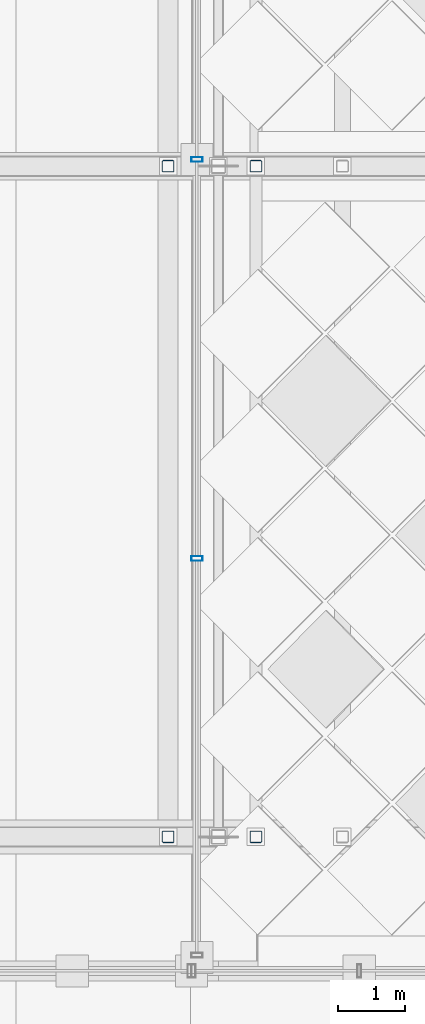
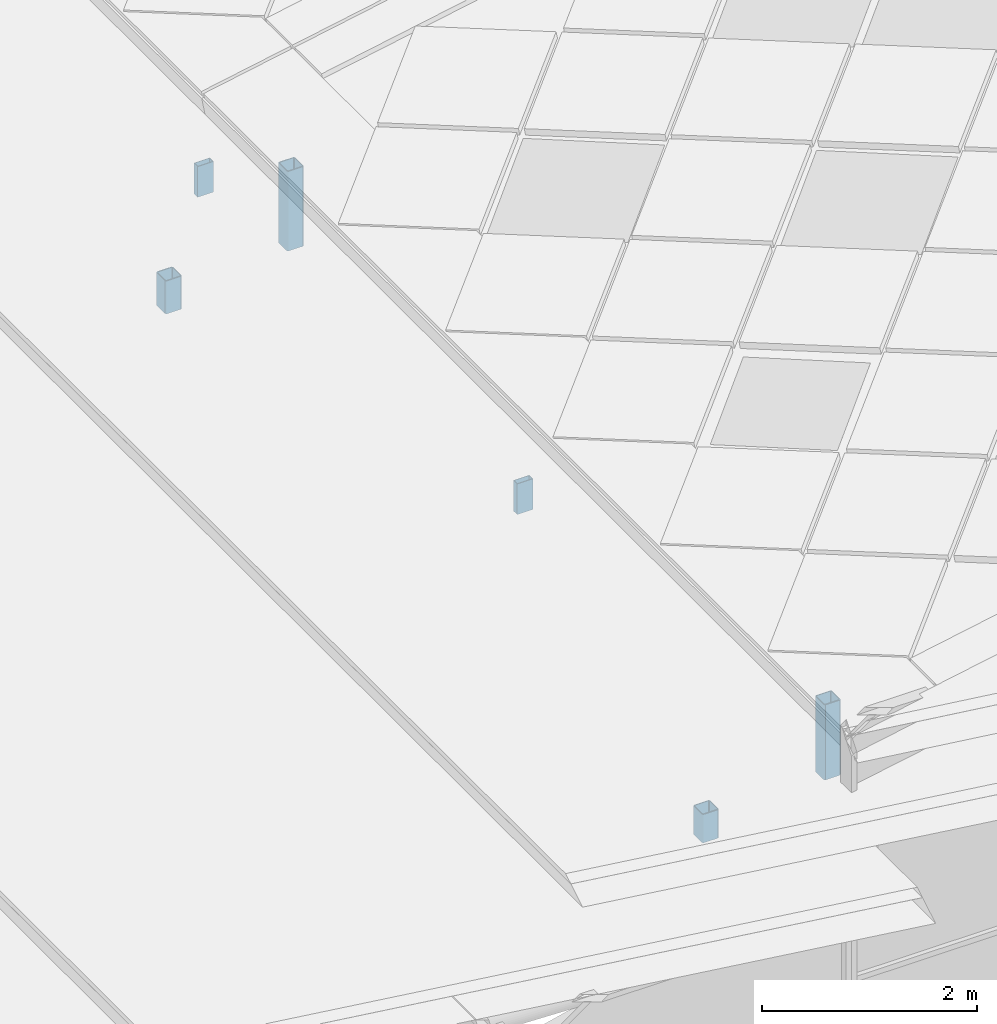
# One storey, part 52 of 117: 6 members, 1 element without a shape of its own.
"""IFC4 building model written with IfcOpenShell, lengths in metres."""

from ifc_helpers import new_model, si_unit, direction, frame, origin, origin_2d, place, context, subcontext, project, spatial, hollow_rectangle, extrude, material, material_profile, profile_set, type_object, element, aggregate, save


model = new_model("IFC4")

# Units and contexts
model_context = context("Model", 3, precision=1e-05, world=origin(), true_north=direction((0.0, 1.0)))
body_context = subcontext(model_context, "Body", "Model", "MODEL_VIEW")
ifc_project = project(units=[si_unit("LENGTHUNIT", "METRE"), si_unit("AREAUNIT", "SQUARE_METRE"), si_unit("VOLUMEUNIT", "CUBIC_METRE"), si_unit("PLANEANGLEUNIT", "RADIAN"), si_unit("MASSUNIT", "GRAM", prefix="KILO")], contexts=[model_context])

# Site, building, storey
site_placement = place(None, origin())
site = spatial("IfcSite", under=ifc_project, at=site_placement, CompositionType="ELEMENT")
building_placement = place(site_placement, origin())
building = spatial("IfcBuilding", under=site, at=building_placement, Name="Merenkruunu Market Hall", CompositionType="ELEMENT")
storey_placement = place(building_placement, frame((0.0, 0.0, 22.800048828125)))
storey = spatial("IfcBuildingStorey", under=building, at=storey_placement, Name="RF", CompositionType="ELEMENT", Elevation=22.800048828125)

# Curtain wall, members
ifc_material_1 = material(Name="Powder-coated aluminium", Category="aluminium")
curtain_wall_type = type_object("IfcCurtainWallType", Name="Clerestory Curtain Band CL05", PredefinedType="USERDEFINED", material=ifc_material_1)
curtain_wall_placement = place(storey_placement, origin())
curtain_wall = element("IfcCurtainWall", 1, at=curtain_wall_placement, inside=storey, type_object=curtain_wall_type, Name="CW-RF-CWM04-113", ObjectType="CLERESTORY_BAND", PredefinedType="USERDEFINED")
ifc_material_profile_1 = material_profile(ifc_material_1, hollow_rectangle(XDim=0.070068359375, YDim=0.169921875, WallThickness=0.0048828125, at=origin_2d()), Name="ALU 70x170x5")
ifc_profile_set_1 = profile_set([ifc_material_profile_1], Name="Powder-coated aluminium")
member_type_1 = type_object("IfcMemberType", Name="Curtain Wall Mullion CWM04", PredefinedType="MULLION", material=ifc_profile_set_1)
member_1_placement = place(storey_placement, frame((18.8798828125, 21.75, -1.241943359375), z_axis=(0.0, 0.0, 1.0), x_axis=(0.0, 1.0, 0.0)))
member_1 = element("IfcMember", 2, at=member_1_placement, type_object=member_type_1, Name="CL05 mullion 2", PredefinedType="MULLION", context=body_context, shape_type="SweptSolid", body=[
    extrude(hollow_rectangle(XDim=0.070068359375, YDim=0.169921875, WallThickness=0.0048828125, at=origin_2d()), origin(), (0.0, 0.0, 1.0), 0.347900390625),
])
member_2_placement = place(storey_placement, frame((18.8798828125, 27.699951171875, -1.241943359375), z_axis=(0.0, 0.0, 1.0), x_axis=(0.0, 1.0, 0.0)))
member_2 = element("IfcMember", 3, at=member_2_placement, type_object=member_type_1, Name="CL05 mullion 3", PredefinedType="MULLION", context=body_context, shape_type="SweptSolid", body=[
    extrude(hollow_rectangle(XDim=0.070068359375, YDim=0.169921875, WallThickness=0.0048828125, at=origin_2d()), origin(), (0.0, 0.0, 1.0), 0.347900390625),
])
aggregate(curtain_wall, [member_1, member_2])

# Members
ifc_material_2 = material(Name="Steel S355J2", Category="steel")
ifc_material_profile_2 = material_profile(ifc_material_2, hollow_rectangle(XDim=0.179931640625, YDim=0.179931640625, WallThickness=0.010009765625, InnerFilletRadius=0.010009765625, OuterFilletRadius=0.02001953125, at=origin_2d()), Name="SHS 180x180x10")
ifc_profile_set_2 = profile_set([ifc_material_profile_2], Name="Steel S355J2")
member_type_2 = type_object("IfcMemberType", Name="Diagonal Sway Brace BR05", PredefinedType="BRACE", material=ifc_profile_set_2)
member_3_placement = place(storey_placement, frame((18.449951171875, 17.60009765625, -2.276123046875), z_axis=(0.0, 0.0, 1.0), x_axis=(1.0, 0.0, 0.0)))
element("IfcMember", 4, at=member_3_placement, inside=storey, type_object=member_type_2, Name="TRUSS-AT-1-RISER-W5-2", PredefinedType="BRACE", context=body_context, shape_type="SweptSolid", body=[
    extrude(hollow_rectangle(XDim=0.179931640625, YDim=0.179931640625, WallThickness=0.010009765625, InnerFilletRadius=0.010009765625, OuterFilletRadius=0.02001953125, at=origin_2d()), origin(), (0.0, 0.0, 1.0), 0.32373046875),
])
member_4_placement = place(storey_placement, frame((19.760009765625, 17.60009765625, -2.02001953125), z_axis=(0.0, 0.0, 1.0), x_axis=(1.0, 0.0, 0.0)))
element("IfcMember", 5, at=member_4_placement, inside=storey, type_object=member_type_2, Name="TRUSS-AT-1-RISER-W6-1", PredefinedType="BRACE", context=body_context, shape_type="SweptSolid", body=[
    extrude(hollow_rectangle(XDim=0.179931640625, YDim=0.179931640625, WallThickness=0.010009765625, InnerFilletRadius=0.010009765625, OuterFilletRadius=0.02001953125, at=origin_2d()), origin(), (0.0, 0.0, 1.0), 0.85498046875),
])
member_5_placement = place(storey_placement, frame((18.449951171875, 27.60009765625, -2.326904296875), z_axis=(0.0, 0.0, 1.0), x_axis=(1.0, 0.0, 0.0)))
element("IfcMember", 6, at=member_5_placement, inside=storey, type_object=member_type_2, Name="TRUSS-AT-2-RISER-W5-2", PredefinedType="BRACE", context=body_context, shape_type="SweptSolid", body=[
    extrude(hollow_rectangle(XDim=0.179931640625, YDim=0.179931640625, WallThickness=0.010009765625, InnerFilletRadius=0.010009765625, OuterFilletRadius=0.02001953125, at=origin_2d()), origin(), (0.0, 0.0, 1.0), 0.37451171875),
])
member_6_placement = place(storey_placement, frame((19.760009765625, 27.60009765625, -2.07080078125), z_axis=(0.0, 0.0, 1.0), x_axis=(1.0, 0.0, 0.0)))
element("IfcMember", 7, at=member_6_placement, inside=storey, type_object=member_type_2, Name="TRUSS-AT-2-RISER-W6-1", PredefinedType="BRACE", context=body_context, shape_type="SweptSolid", body=[
    extrude(hollow_rectangle(XDim=0.179931640625, YDim=0.179931640625, WallThickness=0.010009765625, InnerFilletRadius=0.010009765625, OuterFilletRadius=0.02001953125, at=origin_2d()), origin(), (0.0, 0.0, 1.0), 0.90576171875),
])

save(model, "model.ifc")
